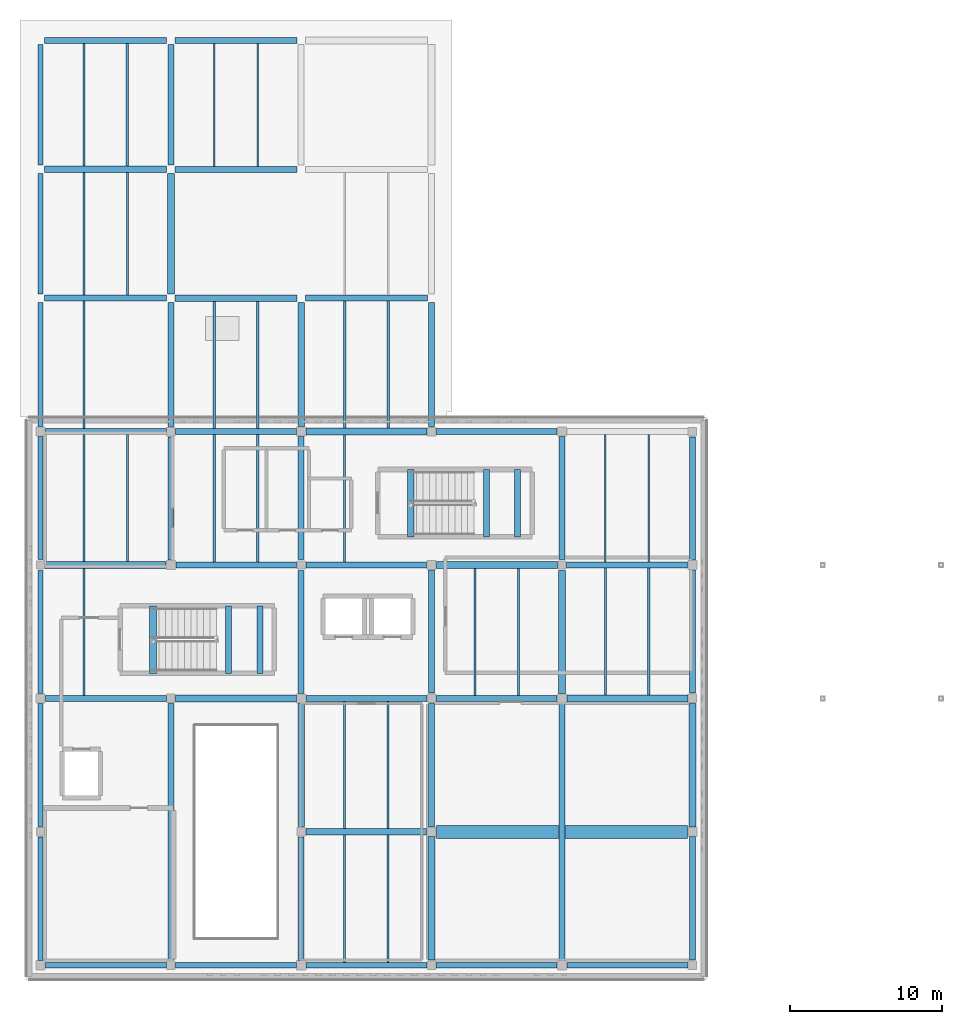
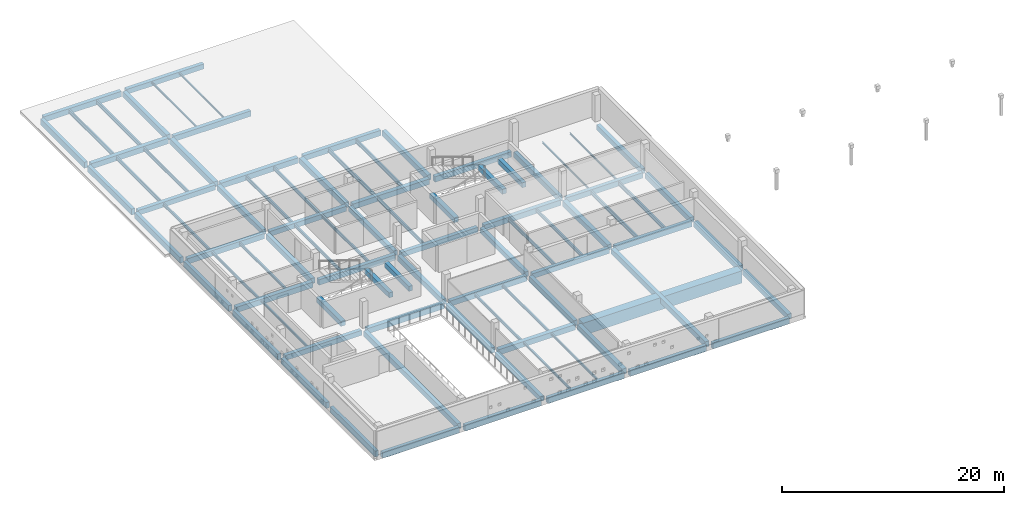
# One storey, part 5 of 17: 89 beams.
"""IFC4 building model written with IfcOpenShell, lengths in metres."""

import ifcopenshell
import ifcopenshell.guid

model = None  # the IFC model being written
_history = None  # IfcOwnerHistory: only IFC2X3 demands one
_inside = {}  # id of a spatial element -> (the spatial element, [elements in it])
_under = {}  # id of a project, library or spatial element -> (it, [spatial elements below it])
_declared = {}  # id of a project -> (the project, [libraries it declares])
_typed = {}  # id of a type object -> (the type object, [elements of that type])
_made_of = {}  # id of a material, layer set ... -> (it, [elements and type objects made of it])


def new_model(schema):
    """Start an empty IFC model of exactly this schema.

    Asked for "IFC4X3", IfcOpenShell would pick the latest addendum, in which some entities
    have other attributes; the version numbers below select the first issue.
    IFC2X3 requires an IfcOwnerHistory on every rooted entity: one is made here for all.
    """
    global model, _history
    if schema == "IFC4X3":
        model = ifcopenshell.file(schema_version=(4, 3, 0, 0))
    else:
        model = ifcopenshell.file(schema=schema)
    _inside.clear()
    _under.clear()
    _declared.clear()
    _typed.clear()
    _made_of.clear()
    _history = None
    if model.schema == "IFC2X3":
        org = make("IfcOrganization", Name="unknown")
        user = make(
            "IfcPersonAndOrganization",
            ThePerson=make("IfcPerson", FamilyName="unknown"),
            TheOrganization=org,
        )
        app = make(
            "IfcApplication",
            ApplicationDeveloper=org,
            Version="unknown",
            ApplicationFullName="unknown",
            ApplicationIdentifier="unknown",
        )
        _history = make(
            "IfcOwnerHistory",
            OwningUser=user,
            OwningApplication=app,
            ChangeAction="ADDED",
            CreationDate=0,
        )
    return model


def make(cls, **values):
    """One entity of the class cls with the attributes given. An attribute that is None is left unset."""
    return model.create_entity(
        cls, **{name: value for name, value in values.items() if value is not None}
    )


def rooted(cls, **values):
    """An entity with a GlobalId (a new one), such as an element, a storey or a relation."""
    return make(cls, GlobalId=ifcopenshell.guid.new(), OwnerHistory=_history, **values)


def si_unit(unit_type, name, prefix=None):
    """IfcSIUnit, for example si_unit("LENGTHUNIT", "METRE", prefix="MILLI")."""
    return make("IfcSIUnit", UnitType=unit_type, Prefix=prefix, Name=name)


def assignment(units):
    """IfcUnitAssignment: the units of a project."""
    return None if units is None else make("IfcUnitAssignment", Units=units)


def point(xyz):
    """IfcCartesianPoint."""
    return None if xyz is None else make("IfcCartesianPoint", Coordinates=xyz)


def direction(xyz):
    """IfcDirection."""
    return None if xyz is None else make("IfcDirection", DirectionRatios=xyz)


def frame(location, z_axis=None, x_axis=None):
    """IfcAxis2Placement3D, a coordinate frame: its origin and axes. An axis left out is left unset."""
    return make(
        "IfcAxis2Placement3D",
        Location=point(location),
        Axis=direction(z_axis),
        RefDirection=direction(x_axis),
    )


def frame_2d(location, x_axis=None):
    """IfcAxis2Placement2D, a coordinate frame in the plane: its origin and x axis."""
    return make(
        "IfcAxis2Placement2D", Location=point(location), RefDirection=direction(x_axis)
    )


def origin():
    """The frame at (0, 0, 0) with its axes left unset."""
    return frame((0.0, 0.0, 0.0))


def origin_2d():
    """The frame at (0, 0) in the plane with its x axis left unset."""
    return frame_2d((0.0, 0.0))


def place(relative_to, where):
    """IfcLocalPlacement: puts the frame where relative to a parent placement (None: the world)."""
    return make(
        "IfcLocalPlacement", PlacementRelTo=relative_to, RelativePlacement=where
    )


def context(
    kind, dimensions, precision=None, world=None, true_north=None, identifier=None
):
    """IfcGeometricRepresentationContext, for example the 3D "Model" context."""
    return make(
        "IfcGeometricRepresentationContext",
        ContextIdentifier=identifier,
        ContextType=kind,
        CoordinateSpaceDimension=dimensions,
        Precision=precision,
        WorldCoordinateSystem=world,
        TrueNorth=true_north,
    )


def subcontext(parent, identifier, kind, view, scale=None):
    """IfcGeometricRepresentationSubContext, for example "Body" below "Model"."""
    return make(
        "IfcGeometricRepresentationSubContext",
        ContextIdentifier=identifier,
        ContextType=kind,
        ParentContext=parent,
        TargetScale=scale,
        TargetView=view,
    )


def project(units=None, contexts=None):
    """IfcProject with its units and contexts."""
    return rooted(
        "IfcProject",
        Name="project",
        RepresentationContexts=contexts,
        UnitsInContext=assignment(units),
    )


def spatial(cls, under=None, at=None, **own):
    """A site, building, storey or space (cls), placed at a placement, below another one or the project."""
    s = rooted(cls, ObjectPlacement=at, **own)
    if under is not None:
        _under.setdefault(under.id(), (under, []))[1].append(s)
    return s


def profile(cls, at=None, kind="AREA", **sizes):
    """A parametric profile (cls). Its sizes go by their IFC names, for example OverallWidth=200.0."""
    return make(cls, ProfileType=kind, Position=at, **sizes)


def rectangle(**sizes):
    """IfcRectangleProfileDef."""
    return profile("IfcRectangleProfileDef", **sizes)


def i_section(**sizes):
    """IfcIShapeProfileDef."""
    return profile("IfcIShapeProfileDef", **sizes)


def extrude(swept, where, along, depth):
    """IfcExtrudedAreaSolid: the profile swept, set in the frame where, extruded along a direction by depth."""
    return make(
        "IfcExtrudedAreaSolid",
        SweptArea=swept,
        Position=where,
        ExtrudedDirection=direction(along),
        Depth=depth,
    )


def shape(context_of_items, identifier, shape_type, items):
    """IfcShapeRepresentation: the items that make up one representation, for example the "Body"."""
    return make(
        "IfcShapeRepresentation",
        ContextOfItems=context_of_items,
        RepresentationIdentifier=identifier,
        RepresentationType=shape_type,
        Items=items,
    )


def material(Name=None, Category=None):
    """IfcMaterial."""
    return make("IfcMaterial", Name=Name, Category=Category)


def material_profile(
    of_material, cross_section, Name=None, Category=None, Priority=None
):
    """IfcMaterialProfile: a cross section and its material."""
    return make(
        "IfcMaterialProfile",
        Name=Name,
        Material=of_material,
        Profile=cross_section,
        Priority=Priority,
        Category=Category,
    )


def profile_set(profiles, Name=None, composite=None):
    """IfcMaterialProfileSet."""
    return make(
        "IfcMaterialProfileSet",
        Name=Name,
        MaterialProfiles=profiles,
        CompositeProfile=composite,
    )


def made_of(thing, what):
    """Note that an element or type object is made of a material, layer set ...; save() writes the relation."""
    if what is not None:
        _made_of.setdefault(what.id(), (what, []))[1].append(thing)
    return thing


def type_object(cls, material=None, **own):
    """A type object (cls), such as IfcWallType, which elements share."""
    return made_of(rooted(cls, **own), material)


def element(
    cls,
    number,
    at=None,
    inside=None,
    cuts=None,
    type_object=None,
    material=None,
    context=None,
    identifier="Body",
    shape_type=None,
    held_by="IfcProductDefinitionShape",
    body=None,
    shapes=None,
    **own,
):
    """One element of the class cls, such as IfcWall. Its Tag is "e" and its number.

    at: its placement. inside: the storey or other place that contains it. cuts: it is an
    opening in that element (IfcRelVoidsElement). A single representation is given by context,
    identifier, shape_type and body (its items); several are given by shapes. held_by: the class
    of the entity that holds the representations. save() writes the other relations.
    """
    e = rooted(cls, Tag="e%d" % number, ObjectPlacement=at, **own)
    if body is not None:
        shapes = [shape(context, identifier, shape_type, body)]
    if shapes is not None:
        e.Representation = make(held_by, Representations=shapes)
    if inside is not None:
        _inside.setdefault(inside.id(), (inside, []))[1].append(e)
    if cuts is not None:
        rooted(
            "IfcRelVoidsElement", RelatingBuildingElement=cuts, RelatedOpeningElement=e
        )
    if type_object is not None:
        _typed.setdefault(type_object.id(), (type_object, []))[1].append(e)
    return made_of(e, material)


def aggregate(whole, parts):
    """IfcRelAggregates: a whole, such as a stair, and the parts it consists of."""
    return rooted("IfcRelAggregates", RelatingObject=whole, RelatedObjects=parts)


def save(model, path):
    """Write the relations noted so far, then the file.

    IfcRelAggregates (storeys below a building ...), IfcRelContainedInSpatialStructure (elements
    in a storey), IfcRelDefinesByType, IfcRelAssociatesMaterial and IfcRelDeclares: one each for
    every whole, place, type object, material and project.
    """
    for whole, parts in _under.values():
        aggregate(whole, parts)
    for where, things in _inside.values():
        rooted(
            "IfcRelContainedInSpatialStructure",
            RelatedElements=things,
            RelatingStructure=where,
        )
    for kind, things in _typed.values():
        rooted("IfcRelDefinesByType", RelatedObjects=things, RelatingType=kind)
    for what, things in _made_of.values():
        rooted("IfcRelAssociatesMaterial", RelatedObjects=things, RelatingMaterial=what)
    for by, libraries in _declared.values():
        rooted("IfcRelDeclares", RelatingContext=by, RelatedDefinitions=libraries)
    model.write(path)


model = new_model("IFC4")

# Units and contexts
model_context = context("Model", 3, precision=1e-05, world=origin(), true_north=direction((0.0, 1.0)))
body_context = subcontext(model_context, "Body", "Model", "MODEL_VIEW")
ifc_project = project(units=[si_unit("LENGTHUNIT", "METRE"), si_unit("AREAUNIT", "SQUARE_METRE"), si_unit("VOLUMEUNIT", "CUBIC_METRE"), si_unit("PLANEANGLEUNIT", "RADIAN"), si_unit("MASSUNIT", "GRAM", prefix="KILO")], contexts=[model_context])

# Site, building, storey
site_placement = place(None, origin())
site = spatial("IfcSite", under=ifc_project, at=site_placement, CompositionType="ELEMENT")
building_placement = place(site_placement, origin())
building = spatial("IfcBuilding", under=site, at=building_placement, Name="Varnakota Cinema and Media Centre", CompositionType="ELEMENT")
storey_placement = place(building_placement, frame((0.0, 0.0, 22.35009765625)))
storey = spatial("IfcBuildingStorey", under=building, at=storey_placement, Name="L06", CompositionType="ELEMENT", Elevation=22.35009765625)

# Beams
ifc_material_1 = material(Name="Concrete M35", Category="concrete")
ifc_material_profile_1 = material_profile(ifc_material_1, rectangle(XDim=0.39990234375, YDim=0.550048828125, at=origin_2d()), Name="RCB 400x550")
ifc_profile_set_1 = profile_set([ifc_material_profile_1], Name="Concrete M35")
beam_type_1 = type_object("IfcBeamType", Name="BM-RC-400x550", PredefinedType="BEAM", material=ifc_profile_set_1)
beam_1_placement = place(storey_placement, frame((0.324951171875, 17.60009765625, -0.51513671875), z_axis=(1.0, 0.0, 0.0), x_axis=(0.0, 1.0, 0.0)))
element("IfcBeam", 1, at=beam_1_placement, inside=storey, type_object=beam_type_1, Name="L06 girder A-B/3", PredefinedType="BEAM", context=body_context, shape_type="SweptSolid", body=[
    extrude(rectangle(XDim=0.39990234375, YDim=0.550048828125, at=origin_2d()), origin(), (0.0, 0.0, 1.0), 7.97509765625),
])
beam_2_placement = place(storey_placement, frame((26.10009765625, 17.60009765625, -0.51513671875), z_axis=(1.0, 0.0, 0.0), x_axis=(0.0, 1.0, 0.0)))
element("IfcBeam", 2, at=beam_2_placement, inside=storey, type_object=beam_type_1, Name="L06 girder D-E/3", PredefinedType="BEAM", context=body_context, shape_type="SweptSolid", body=[
    extrude(rectangle(XDim=0.39990234375, YDim=0.550048828125, at=origin_2d()), origin(), (0.0, 0.0, 1.0), 7.974853515625),
])
for number, where, z_axis, x_axis, name in (
    (3, (17.5, 26.39990234375, -0.51513671875), (1.0, 0.0, 0.0), (0.0, 1.0, 0.0), "L06 girder C-D/4"),
    (4, (8.89990234375, 35.199951171875, -0.51513671875), (1.0, 0.0, 0.0), (0.0, 1.0, 0.0), "L06 girder B-C/5"),
):
    element("IfcBeam", number, at=place(storey_placement, frame(where, z_axis=z_axis, x_axis=x_axis)), inside=storey, type_object=beam_type_1, Name=name, PredefinedType="BEAM", context=body_context, shape_type="SweptSolid", body=[
        extrude(rectangle(XDim=0.39990234375, YDim=0.550048828125, at=origin_2d()), origin(), (0.0, 0.0, 1.0), 7.97509765625),
    ])
for number, where, z_axis, x_axis, name in (
    (5, (0.27490234375, 44.0, -0.51513671875), (1.0, 0.0, 0.0), (0.0, 1.0, 0.0), "L06 girder A-B/6"),
    (6, (8.875, 61.0, -0.51513671875), (1.0, 0.0, 0.0), (0.0, 1.0, 0.0), "L06 girder B-C/8"),
):
    element("IfcBeam", number, at=place(storey_placement, frame(where, z_axis=z_axis, x_axis=x_axis)), inside=storey, type_object=beam_type_1, Name=name, PredefinedType="BEAM", context=body_context, shape_type="SweptSolid", body=[
        extrude(rectangle(XDim=0.39990234375, YDim=0.550048828125, at=origin_2d()), origin(), (0.0, 0.0, 1.0), 8.050048828125),
    ])
beam_3_placement = place(storey_placement, frame((8.60009765625, 35.550048828125, -0.51513671875), z_axis=(0.0, 1.0, 0.0), x_axis=(-1.0, 0.0, 0.0)))
element("IfcBeam", 7, at=beam_3_placement, inside=storey, type_object=beam_type_1, Name="L06 girder B/5-6", PredefinedType="BEAM", context=body_context, shape_type="SweptSolid", body=[
    extrude(rectangle(XDim=0.39990234375, YDim=0.550048828125, at=origin_2d()), origin(), (0.0, 0.0, 1.0), 8.175048828125),
])
for number, where, z_axis, x_axis, name in (
    (8, (17.199951171875, 0.324951171875, -0.51513671875), (0.0, 1.0, 0.0), (-1.0, 0.0, 0.0), "L06 girder C/1-2"),
    (9, (17.199951171875, 26.75, -0.51513671875), (0.0, 1.0, 0.0), (-1.0, 0.0, 0.0), "L06 girder C/4-5"),
    (10, (25.800048828125, 17.949951171875, -0.51513671875), (0.0, 1.0, 0.0), (-1.0, 0.0, 0.0), "L06 girder D/3-4"),
    (11, (43.0, 0.35009765625, -0.51513671875), (0.0, 1.0, 0.0), (-1.0, 0.0, 0.0), "L06 girder F/1-2"),
    (12, (43.0, 26.72509765625, -0.51513671875), (0.0, 1.0, 0.0), (-1.0, 0.0, 0.0), "L06 girder F/4-5"),
):
    element("IfcBeam", number, at=place(storey_placement, frame(where, z_axis=z_axis, x_axis=x_axis)), inside=storey, type_object=beam_type_1, Name=name, PredefinedType="BEAM", context=body_context, shape_type="SweptSolid", body=[
        extrude(rectangle(XDim=0.39990234375, YDim=0.550048828125, at=origin_2d()), origin(), (0.0, 0.0, 1.0), 8.125),
    ])
for number, where, z_axis, x_axis, name in (
    (13, (12.40966796875, 19.25, 1.099853515625), (0.0, 1.0, 0.0), (-1.0, 0.0, 0.0), "L06 ST-01 landing support beam 1"),
    (14, (14.470458984375, 19.25, 1.099853515625), (0.0, 1.0, 0.0), (-1.0, 0.0, 0.0), "L06 ST-01 landing support beam 2"),
    (15, (29.40966796875, 28.25, 1.099853515625), (0.0, 1.0, 0.0), (-1.0, 0.0, 0.0), "L06 ST-02 landing support beam 1"),
    (16, (31.470458984375, 28.25, 1.099853515625), (0.0, 1.0, 0.0), (-1.0, 0.0, 0.0), "L06 ST-02 landing support beam 2"),
):
    element("IfcBeam", number, at=place(storey_placement, frame(where, z_axis=z_axis, x_axis=x_axis)), inside=storey, type_object=beam_type_1, Name=name, PredefinedType="BEAM", context=body_context, shape_type="SweptSolid", body=[
        extrude(rectangle(XDim=0.39990234375, YDim=0.550048828125, at=origin_2d()), origin(), (0.0, 0.0, 1.0), 4.449951171875),
    ])
ifc_material_2 = material(Name="Concrete M35", Category="concrete")
ifc_material_profile_2 = material_profile(ifc_material_2, rectangle(XDim=0.39990234375, YDim=0.60009765625, at=origin_2d()), Name="RCB 400x600")
ifc_profile_set_2 = profile_set([ifc_material_profile_2], Name="Concrete M35")
beam_type_2 = type_object("IfcBeamType", Name="BM-RC-400x600", PredefinedType="BEAM", material=ifc_profile_set_2)
beam_4_placement = place(storey_placement, frame((17.52490234375, 17.60009765625, -0.5400390625), z_axis=(1.0, 0.0, 0.0), x_axis=(0.0, 1.0, 0.0)))
element("IfcBeam", 17, at=beam_4_placement, inside=storey, type_object=beam_type_2, Name="L06 girder C-D/3", PredefinedType="BEAM", context=body_context, shape_type="SweptSolid", body=[
    extrude(rectangle(XDim=0.39990234375, YDim=0.60009765625, at=origin_2d()), origin(), (0.0, 0.0, 1.0), 7.97509765625),
])
beam_5_placement = place(storey_placement, frame((8.925048828125, 26.39990234375, -0.5400390625), z_axis=(1.0, 0.0, 0.0), x_axis=(0.0, 1.0, 0.0)))
element("IfcBeam", 18, at=beam_5_placement, inside=storey, type_object=beam_type_2, Name="L06 girder B-C/4", PredefinedType="BEAM", context=body_context, shape_type="SweptSolid", body=[
    extrude(rectangle(XDim=0.39990234375, YDim=0.60009765625, at=origin_2d()), origin(), (0.0, 0.0, 1.0), 7.974853515625),
])
for number, where, z_axis, x_axis, name in (
    (19, (34.699951171875, 26.39990234375, -0.5400390625), (1.0, 0.0, 0.0), (0.0, 1.0, 0.0), "L06 girder E-F/4"),
    (20, (0.324951171875, 35.199951171875, -0.5400390625), (1.0, 0.0, 0.0), (0.0, 1.0, 0.0), "L06 girder A-B/5"),
):
    element("IfcBeam", number, at=place(storey_placement, frame(where, z_axis=z_axis, x_axis=x_axis)), inside=storey, type_object=beam_type_2, Name=name, PredefinedType="BEAM", context=body_context, shape_type="SweptSolid", body=[
        extrude(rectangle(XDim=0.39990234375, YDim=0.60009765625, at=origin_2d()), origin(), (0.0, 0.0, 1.0), 7.97509765625),
    ])
beam_6_placement = place(storey_placement, frame((26.10009765625, 35.199951171875, -0.5400390625), z_axis=(1.0, 0.0, 0.0), x_axis=(0.0, 1.0, 0.0)))
element("IfcBeam", 21, at=beam_6_placement, inside=storey, type_object=beam_type_2, Name="L06 girder D-E/5", PredefinedType="BEAM", context=body_context, shape_type="SweptSolid", body=[
    extrude(rectangle(XDim=0.39990234375, YDim=0.60009765625, at=origin_2d()), origin(), (0.0, 0.0, 1.0), 7.974853515625),
])
beam_7_placement = place(storey_placement, frame((17.47509765625, 44.0, -0.5400390625), z_axis=(1.0, 0.0, 0.0), x_axis=(0.0, 1.0, 0.0)))
element("IfcBeam", 22, at=beam_7_placement, inside=storey, type_object=beam_type_2, Name="L06 girder C-D/6", PredefinedType="BEAM", context=body_context, shape_type="SweptSolid", body=[
    extrude(rectangle(XDim=0.39990234375, YDim=0.60009765625, at=origin_2d()), origin(), (0.0, 0.0, 1.0), 8.0498046875),
])
for number, where, z_axis, x_axis, name in (
    (23, (8.875, 52.5, -0.5400390625), (1.0, 0.0, 0.0), (0.0, 1.0, 0.0), "L06 girder B-C/7"),
    (24, (0.27490234375, 61.0, -0.5400390625), (1.0, 0.0, 0.0), (0.0, 1.0, 0.0), "L06 girder A-B/8"),
):
    element("IfcBeam", number, at=place(storey_placement, frame(where, z_axis=z_axis, x_axis=x_axis)), inside=storey, type_object=beam_type_2, Name=name, PredefinedType="BEAM", context=body_context, shape_type="SweptSolid", body=[
        extrude(rectangle(XDim=0.39990234375, YDim=0.60009765625, at=origin_2d()), origin(), (0.0, 0.0, 1.0), 8.050048828125),
    ])
beam_8_placement = place(storey_placement, frame((8.60009765625, 0.35009765625, -0.5400390625), z_axis=(0.0, 1.0, 0.0), x_axis=(-1.0, 0.0, 0.0)))
element("IfcBeam", 25, at=beam_8_placement, inside=storey, type_object=beam_type_2, Name="L06 girder B/1-3", PredefinedType="BEAM", context=body_context, shape_type="SweptSolid", body=[
    extrude(rectangle(XDim=0.39990234375, YDim=0.60009765625, at=origin_2d()), origin(), (0.0, 0.0, 1.0), 16.89990234375),
])
beam_9_placement = place(storey_placement, frame((8.60009765625, 26.72509765625, -0.5400390625), z_axis=(0.0, 1.0, 0.0), x_axis=(-1.0, 0.0, 0.0)))
element("IfcBeam", 26, at=beam_9_placement, inside=storey, type_object=beam_type_2, Name="L06 girder B/4-5", PredefinedType="BEAM", context=body_context, shape_type="SweptSolid", body=[
    extrude(rectangle(XDim=0.39990234375, YDim=0.60009765625, at=origin_2d()), origin(), (0.0, 0.0, 1.0), 8.125),
])
beam_10_placement = place(storey_placement, frame((8.60009765625, 52.77490234375, -0.5400390625), z_axis=(0.0, 1.0, 0.0), x_axis=(-1.0, 0.0, 0.0)))
element("IfcBeam", 27, at=beam_10_placement, inside=storey, type_object=beam_type_2, Name="L06 girder B/7-8", PredefinedType="BEAM", context=body_context, shape_type="SweptSolid", body=[
    extrude(rectangle(XDim=0.39990234375, YDim=0.60009765625, at=origin_2d()), origin(), (0.0, 0.0, 1.0), 7.9501953125),
])
for number, where, z_axis, x_axis, name in (
    (28, (17.199951171875, 17.925048828125, -0.5400390625), (0.0, 1.0, 0.0), (-1.0, 0.0, 0.0), "L06 girder C/3-4"),
    (29, (25.800048828125, 9.125, -0.5400390625), (0.0, 1.0, 0.0), (-1.0, 0.0, 0.0), "L06 girder D/2-3"),
):
    element("IfcBeam", number, at=place(storey_placement, frame(where, z_axis=z_axis, x_axis=x_axis)), inside=storey, type_object=beam_type_2, Name=name, PredefinedType="BEAM", context=body_context, shape_type="SweptSolid", body=[
        extrude(rectangle(XDim=0.39990234375, YDim=0.60009765625, at=origin_2d()), origin(), (0.0, 0.0, 1.0), 8.125),
    ])
beam_11_placement = place(storey_placement, frame((25.800048828125, 35.550048828125, -0.5400390625), z_axis=(0.0, 1.0, 0.0), x_axis=(-1.0, 0.0, 0.0)))
element("IfcBeam", 30, at=beam_11_placement, inside=storey, type_object=beam_type_2, Name="L06 girder D/5-6", PredefinedType="BEAM", context=body_context, shape_type="SweptSolid", body=[
    extrude(rectangle(XDim=0.39990234375, YDim=0.60009765625, at=origin_2d()), origin(), (0.0, 0.0, 1.0), 8.175048828125),
])
beam_12_placement = place(storey_placement, frame((34.39990234375, 0.324951171875, -0.5400390625), z_axis=(0.0, 1.0, 0.0), x_axis=(-1.0, 0.0, 0.0)))
element("IfcBeam", 31, at=beam_12_placement, inside=storey, type_object=beam_type_2, Name="L06 girder E/1-3", PredefinedType="BEAM", context=body_context, shape_type="SweptSolid", body=[
    extrude(rectangle(XDim=0.39990234375, YDim=0.60009765625, at=origin_2d()), origin(), (0.0, 0.0, 1.0), 16.949951171875),
])
for number, where, z_axis, x_axis, name in (
    (32, (34.39990234375, 26.75, -0.5400390625), (0.0, 1.0, 0.0), (-1.0, 0.0, 0.0), "L06 girder E/4-5"),
    (33, (43.0, 17.949951171875, -0.5400390625), (0.0, 1.0, 0.0), (-1.0, 0.0, 0.0), "L06 girder F/3-4"),
):
    element("IfcBeam", number, at=place(storey_placement, frame(where, z_axis=z_axis, x_axis=x_axis)), inside=storey, type_object=beam_type_2, Name=name, PredefinedType="BEAM", context=body_context, shape_type="SweptSolid", body=[
        extrude(rectangle(XDim=0.39990234375, YDim=0.60009765625, at=origin_2d()), origin(), (0.0, 0.0, 1.0), 8.125),
    ])
ifc_material_3 = material(Name="Concrete M40", Category="concrete")
ifc_material_profile_3 = material_profile(ifc_material_3, rectangle(XDim=0.449951171875, YDim=0.550048828125, at=origin_2d()), Name="RCB 450x550")
ifc_profile_set_3 = profile_set([ifc_material_profile_3], Name="Concrete M40")
beam_type_3 = type_object("IfcBeamType", Name="BM-RC-450x550", PredefinedType="BEAM", material=ifc_profile_set_3)
for number, where, z_axis, x_axis, name in (
    (34, (7.419921875, 19.25, -0.275146484375), (0.0, 1.0, 0.0), (-1.0, 0.0, 0.0), "L06 ST-01 stair arrival trimmer beam"),
    (35, (24.419921875, 28.25, -0.275146484375), (0.0, 1.0, 0.0), (-1.0, 0.0, 0.0), "L06 ST-02 stair arrival trimmer beam"),
):
    element("IfcBeam", number, at=place(storey_placement, frame(where, z_axis=z_axis, x_axis=x_axis)), inside=storey, type_object=beam_type_3, Name=name, PredefinedType="BEAM", context=body_context, shape_type="SweptSolid", body=[
        extrude(rectangle(XDim=0.449951171875, YDim=0.550048828125, at=origin_2d()), origin(), (0.0, 0.0, 1.0), 4.449951171875),
    ])
ifc_material_4 = material(Name="Concrete M35", Category="concrete")
ifc_material_profile_4 = material_profile(ifc_material_4, rectangle(XDim=0.449951171875, YDim=0.60009765625, at=origin_2d()), Name="RCB 450x600")
ifc_profile_set_4 = profile_set([ifc_material_profile_4], Name="Concrete M35")
beam_type_4 = type_object("IfcBeamType", Name="BM-RC-450x600", PredefinedType="BEAM", material=ifc_profile_set_4)
for number, where, z_axis, x_axis, name in (
    (36, (17.5, 8.800048828125, -0.5400390625), (1.0, 0.0, 0.0), (0.0, 1.0, 0.0), "L06 girder C-D/2"),
    (37, (8.89990234375, 17.60009765625, -0.5400390625), (1.0, 0.0, 0.0), (0.0, 1.0, 0.0), "L06 girder B-C/3"),
):
    element("IfcBeam", number, at=place(storey_placement, frame(where, z_axis=z_axis, x_axis=x_axis)), inside=storey, type_object=beam_type_4, Name=name, PredefinedType="BEAM", context=body_context, shape_type="SweptSolid", body=[
        extrude(rectangle(XDim=0.449951171875, YDim=0.60009765625, at=origin_2d()), origin(), (0.0, 0.0, 1.0), 7.97509765625),
    ])
for number, where, z_axis, x_axis, name in (
    (38, (34.72509765625, 17.60009765625, -0.5400390625), (1.0, 0.0, 0.0), (0.0, 1.0, 0.0), "L06 girder E-F/3"),
    (39, (0.300048828125, 26.39990234375, -0.5400390625), (1.0, 0.0, 0.0), (0.0, 1.0, 0.0), "L06 girder A-B/4"),
):
    element("IfcBeam", number, at=place(storey_placement, frame(where, z_axis=z_axis, x_axis=x_axis)), inside=storey, type_object=beam_type_4, Name=name, PredefinedType="BEAM", context=body_context, shape_type="SweptSolid", body=[
        extrude(rectangle(XDim=0.449951171875, YDim=0.60009765625, at=origin_2d()), origin(), (0.0, 0.0, 1.0), 7.974853515625),
    ])
for number, where, z_axis, x_axis, name in (
    (40, (26.125, 26.39990234375, -0.5400390625), (1.0, 0.0, 0.0), (0.0, 1.0, 0.0), "L06 girder D-E/4"),
    (41, (17.52490234375, 35.199951171875, -0.5400390625), (1.0, 0.0, 0.0), (0.0, 1.0, 0.0), "L06 girder C-D/5"),
):
    element("IfcBeam", number, at=place(storey_placement, frame(where, z_axis=z_axis, x_axis=x_axis)), inside=storey, type_object=beam_type_4, Name=name, PredefinedType="BEAM", context=body_context, shape_type="SweptSolid", body=[
        extrude(rectangle(XDim=0.449951171875, YDim=0.60009765625, at=origin_2d()), origin(), (0.0, 0.0, 1.0), 7.97509765625),
    ])
for number, where, z_axis, x_axis, name in (
    (42, (8.875, 44.0, -0.5400390625), (1.0, 0.0, 0.0), (0.0, 1.0, 0.0), "L06 girder B-C/6"),
    (43, (0.27490234375, 52.5, -0.5400390625), (1.0, 0.0, 0.0), (0.0, 1.0, 0.0), "L06 girder A-B/7"),
):
    element("IfcBeam", number, at=place(storey_placement, frame(where, z_axis=z_axis, x_axis=x_axis)), inside=storey, type_object=beam_type_4, Name=name, PredefinedType="BEAM", context=body_context, shape_type="SweptSolid", body=[
        extrude(rectangle(XDim=0.449951171875, YDim=0.60009765625, at=origin_2d()), origin(), (0.0, 0.0, 1.0), 8.050048828125),
    ])
beam_13_placement = place(storey_placement, frame((8.60009765625, 44.27490234375, -0.5400390625), z_axis=(0.0, 1.0, 0.0), x_axis=(-1.0, 0.0, 0.0)))
element("IfcBeam", 44, at=beam_13_placement, inside=storey, type_object=beam_type_4, Name="L06 girder B/6-7", PredefinedType="BEAM", context=body_context, shape_type="SweptSolid", body=[
    extrude(rectangle(XDim=0.449951171875, YDim=0.60009765625, at=origin_2d()), origin(), (0.0, 0.0, 1.0), 7.9501953125),
])
beam_14_placement = place(storey_placement, frame((17.199951171875, 9.14990234375, -0.5400390625), z_axis=(0.0, 1.0, 0.0), x_axis=(-1.0, 0.0, 0.0)))
element("IfcBeam", 45, at=beam_14_placement, inside=storey, type_object=beam_type_4, Name="L06 girder C/2-3", PredefinedType="BEAM", context=body_context, shape_type="SweptSolid", body=[
    extrude(rectangle(XDim=0.449951171875, YDim=0.60009765625, at=origin_2d()), origin(), (0.0, 0.0, 1.0), 8.125),
])
beam_15_placement = place(storey_placement, frame((17.199951171875, 35.52490234375, -0.5400390625), z_axis=(0.0, 1.0, 0.0), x_axis=(-1.0, 0.0, 0.0)))
element("IfcBeam", 46, at=beam_15_placement, inside=storey, type_object=beam_type_4, Name="L06 girder C/5-6", PredefinedType="BEAM", context=body_context, shape_type="SweptSolid", body=[
    extrude(rectangle(XDim=0.449951171875, YDim=0.60009765625, at=origin_2d()), origin(), (0.0, 0.0, 1.0), 8.2001953125),
])
for number, where, z_axis, x_axis, name in (
    (47, (25.800048828125, 0.35009765625, -0.5400390625), (0.0, 1.0, 0.0), (-1.0, 0.0, 0.0), "L06 girder D/1-2"),
    (48, (34.39990234375, 17.925048828125, -0.5400390625), (0.0, 1.0, 0.0), (-1.0, 0.0, 0.0), "L06 girder E/3-4"),
    (49, (43.0, 9.125, -0.5400390625), (0.0, 1.0, 0.0), (-1.0, 0.0, 0.0), "L06 girder F/2-3"),
):
    element("IfcBeam", number, at=place(storey_placement, frame(where, z_axis=z_axis, x_axis=x_axis)), inside=storey, type_object=beam_type_4, Name=name, PredefinedType="BEAM", context=body_context, shape_type="SweptSolid", body=[
        extrude(rectangle(XDim=0.449951171875, YDim=0.60009765625, at=origin_2d()), origin(), (0.0, 0.0, 1.0), 8.125),
    ])
ifc_material_5 = material(Name="Concrete M40", Category="concrete")
ifc_material_profile_5 = material_profile(ifc_material_5, rectangle(XDim=0.35009765625, YDim=0.64990234375, at=origin_2d()), Name="RCB 350x650")
ifc_profile_set_5 = profile_set([ifc_material_profile_5], Name="Concrete M40")
beam_type_5 = type_object("IfcBeamType", Name="BM-SP-350x650", PredefinedType="SPANDREL", material=ifc_profile_set_5)
for number, where, z_axis, x_axis, name in (
    (50, (0.324951171875, 0.0, -0.565185546875), (1.0, 0.0, 0.0), (0.0, 1.0, 0.0), "L06 girder A-B/1"),
    (51, (8.89990234375, 0.0, -0.565185546875), (1.0, 0.0, 0.0), (0.0, 1.0, 0.0), "L06 girder B-C/1"),
    (52, (17.52490234375, 0.0, -0.565185546875), (1.0, 0.0, 0.0), (0.0, 1.0, 0.0), "L06 girder C-D/1"),
):
    element("IfcBeam", number, at=place(storey_placement, frame(where, z_axis=z_axis, x_axis=x_axis)), inside=storey, type_object=beam_type_5, Name=name, PredefinedType="SPANDREL", context=body_context, shape_type="SweptSolid", body=[
        extrude(rectangle(XDim=0.35009765625, YDim=0.64990234375, at=origin_2d()), origin(), (0.0, 0.0, 1.0), 7.97509765625),
    ])
for number, where, z_axis, x_axis, name in (
    (53, (26.10009765625, 0.0, -0.565185546875), (1.0, 0.0, 0.0), (0.0, 1.0, 0.0), "L06 girder D-E/1"),
    (54, (34.72509765625, 0.0, -0.565185546875), (1.0, 0.0, 0.0), (0.0, 1.0, 0.0), "L06 girder E-F/1"),
):
    element("IfcBeam", number, at=place(storey_placement, frame(where, z_axis=z_axis, x_axis=x_axis)), inside=storey, type_object=beam_type_5, Name=name, PredefinedType="SPANDREL", context=body_context, shape_type="SweptSolid", body=[
        extrude(rectangle(XDim=0.35009765625, YDim=0.64990234375, at=origin_2d()), origin(), (0.0, 0.0, 1.0), 7.974853515625),
    ])
for number, where, z_axis, x_axis, name in (
    (55, (0.0, 0.324951171875, -0.565185546875), (0.0, 1.0, 0.0), (-1.0, 0.0, 0.0), "L06 girder A/1-2"),
    (56, (0.0, 9.14990234375, -0.565185546875), (0.0, 1.0, 0.0), (-1.0, 0.0, 0.0), "L06 girder A/2-3"),
    (57, (0.0, 17.925048828125, -0.565185546875), (0.0, 1.0, 0.0), (-1.0, 0.0, 0.0), "L06 girder A/3-4"),
    (58, (0.0, 26.75, -0.565185546875), (0.0, 1.0, 0.0), (-1.0, 0.0, 0.0), "L06 girder A/4-5"),
):
    element("IfcBeam", number, at=place(storey_placement, frame(where, z_axis=z_axis, x_axis=x_axis)), inside=storey, type_object=beam_type_5, Name=name, PredefinedType="SPANDREL", context=body_context, shape_type="SweptSolid", body=[
        extrude(rectangle(XDim=0.35009765625, YDim=0.64990234375, at=origin_2d()), origin(), (0.0, 0.0, 1.0), 8.125),
    ])
beam_16_placement = place(storey_placement, frame((0.0, 35.52490234375, -0.565185546875), z_axis=(0.0, 1.0, 0.0), x_axis=(-1.0, 0.0, 0.0)))
element("IfcBeam", 59, at=beam_16_placement, inside=storey, type_object=beam_type_5, Name="L06 girder A/5-6", PredefinedType="SPANDREL", context=body_context, shape_type="SweptSolid", body=[
    extrude(rectangle(XDim=0.35009765625, YDim=0.64990234375, at=origin_2d()), origin(), (0.0, 0.0, 1.0), 8.2001953125),
])
for number, where, z_axis, x_axis, name in (
    (60, (0.0, 44.27490234375, -0.565185546875), (0.0, 1.0, 0.0), (-1.0, 0.0, 0.0), "L06 girder A/6-7"),
    (61, (0.0, 52.77490234375, -0.565185546875), (0.0, 1.0, 0.0), (-1.0, 0.0, 0.0), "L06 girder A/7-8"),
):
    element("IfcBeam", number, at=place(storey_placement, frame(where, z_axis=z_axis, x_axis=x_axis)), inside=storey, type_object=beam_type_5, Name=name, PredefinedType="SPANDREL", context=body_context, shape_type="SweptSolid", body=[
        extrude(rectangle(XDim=0.35009765625, YDim=0.64990234375, at=origin_2d()), origin(), (0.0, 0.0, 1.0), 7.9501953125),
    ])
ifc_material_6 = material(Name="Structural steel Grade 350 (E350)", Category="steel")
ifc_material_profile_6 = material_profile(ifc_material_6, i_section(OverallWidth=0.10009765625, OverallDepth=0.199951171875, WebThickness=0.005615234375, FlangeThickness=0.0107421875, FilletRadius=0.010986328125, at=origin_2d()), Name="ISMB 200")
ifc_profile_set_6 = profile_set([ifc_material_profile_6], Name="Structural steel Grade 350 (E350)")
beam_type_6 = type_object("IfcBeamType", Name="BM-ST-ISMB200", PredefinedType="JOIST", material=ifc_profile_set_6)
for number, where, z_axis, x_axis, name in (
    (62, (11.466796875, 52.699951171875, -0.340087890625), (0.0, 1.0, 0.0), (-1.0, 0.0, 0.0), "L06 steel joist B-C/7-8 #1"),
    (63, (14.333251953125, 52.699951171875, -0.340087890625), (0.0, 1.0, 0.0), (-1.0, 0.0, 0.0), "L06 steel joist B-C/7-8 #2"),
):
    element("IfcBeam", number, at=place(storey_placement, frame(where, z_axis=z_axis, x_axis=x_axis)), inside=storey, type_object=beam_type_6, Name=name, PredefinedType="JOIST", context=body_context, shape_type="SweptSolid", body=[
        extrude(i_section(OverallWidth=0.10009765625, OverallDepth=0.199951171875, WebThickness=0.005615234375, FlangeThickness=0.0107421875, FilletRadius=0.010986328125, at=origin_2d()), origin(), (0.0, 0.0, 1.0), 8.10009765625),
    ])
for number, where, z_axis, x_axis, name in (
    (64, (37.2666015625, 26.60009765625, -0.340087890625), (0.0, 1.0, 0.0), (-1.0, 0.0, 0.0), "L06 steel joist E-F/4-5 #1"),
    (65, (40.13330078125, 26.60009765625, -0.340087890625), (0.0, 1.0, 0.0), (-1.0, 0.0, 0.0), "L06 steel joist E-F/4-5 #2"),
):
    element("IfcBeam", number, at=place(storey_placement, frame(where, z_axis=z_axis, x_axis=x_axis)), inside=storey, type_object=beam_type_6, Name=name, PredefinedType="JOIST", context=body_context, shape_type="SweptSolid", body=[
        extrude(i_section(OverallWidth=0.10009765625, OverallDepth=0.199951171875, WebThickness=0.005615234375, FlangeThickness=0.0107421875, FilletRadius=0.010986328125, at=origin_2d()), origin(), (0.0, 0.0, 1.0), 8.39990234375),
    ])
ifc_material_7 = material(Name="Structural steel Grade 350 (E350)", Category="steel")
ifc_material_profile_7 = material_profile(ifc_material_7, i_section(OverallWidth=0.125, OverallDepth=0.25, WebThickness=0.0068359375, FlangeThickness=0.012451171875, FilletRadius=0.012939453125, at=origin_2d()), Name="ISMB 250")
ifc_profile_set_7 = profile_set([ifc_material_profile_7], Name="Structural steel Grade 350 (E350)")
beam_type_7 = type_object("IfcBeamType", Name="BM-ST-ISMB250", PredefinedType="JOIST", material=ifc_profile_set_7)
beam_17_placement = place(storey_placement, frame((2.86669921875, 17.800048828125, -0.364990234375), z_axis=(0.0, 1.0, 0.0), x_axis=(-1.0, 0.0, 0.0)))
element("IfcBeam", 66, at=beam_17_placement, inside=storey, type_object=beam_type_7, Name="L06 steel joist A-B/3-4 #1", PredefinedType="JOIST", context=body_context, shape_type="SweptSolid", body=[
    extrude(i_section(OverallWidth=0.125, OverallDepth=0.25, WebThickness=0.0068359375, FlangeThickness=0.012451171875, FilletRadius=0.012939453125, at=origin_2d()), origin(), (0.0, 0.0, 1.0), 8.375),
])
for number, where, z_axis, x_axis, name in (
    (67, (20.066650390625, 0.175048828125, -0.364990234375), (0.0, 1.0, 0.0), (-1.0, 0.0, 0.0), "L06 steel joist C-D/1-2 #1"),
    (68, (22.933349609375, 0.175048828125, -0.364990234375), (0.0, 1.0, 0.0), (-1.0, 0.0, 0.0), "L06 steel joist C-D/1-2 #2"),
):
    element("IfcBeam", number, at=place(storey_placement, frame(where, z_axis=z_axis, x_axis=x_axis)), inside=storey, type_object=beam_type_7, Name=name, PredefinedType="JOIST", context=body_context, shape_type="SweptSolid", body=[
        extrude(i_section(OverallWidth=0.125, OverallDepth=0.25, WebThickness=0.0068359375, FlangeThickness=0.012451171875, FilletRadius=0.012939453125, at=origin_2d()), origin(), (0.0, 0.0, 1.0), 8.39990234375),
    ])
ifc_material_8 = material(Name="Structural steel Grade 350 (E350)", Category="steel")
ifc_material_profile_8 = material_profile(ifc_material_8, i_section(OverallWidth=0.139892578125, OverallDepth=0.300048828125, WebThickness=0.0078125, FlangeThickness=0.01318359375, FilletRadius=0.013916015625, at=origin_2d()), Name="ISMB 300")
ifc_profile_set_8 = profile_set([ifc_material_profile_8], Name="Structural steel Grade 350 (E350)")
beam_type_8 = type_object("IfcBeamType", Name="BM-ST-ISMB300", PredefinedType="JOIST", material=ifc_profile_set_8)
for number, where, z_axis, x_axis, name in (
    (69, (2.86669921875, 26.625, -0.39013671875), (0.0, 1.0, 0.0), (-1.0, 0.0, 0.0), "L06 steel joist A-B/4-5 #1"),
    (70, (5.7333984375, 26.625, -0.39013671875), (0.0, 1.0, 0.0), (-1.0, 0.0, 0.0), "L06 steel joist A-B/4-5 #2"),
    (71, (20.066650390625, 9.02490234375, -0.39013671875), (0.0, 1.0, 0.0), (-1.0, 0.0, 0.0), "L06 steel joist C-D/2-3 #1"),
    (72, (22.933349609375, 9.02490234375, -0.39013671875), (0.0, 1.0, 0.0), (-1.0, 0.0, 0.0), "L06 steel joist C-D/2-3 #2"),
):
    element("IfcBeam", number, at=place(storey_placement, frame(where, z_axis=z_axis, x_axis=x_axis)), inside=storey, type_object=beam_type_8, Name=name, PredefinedType="JOIST", context=body_context, shape_type="SweptSolid", body=[
        extrude(i_section(OverallWidth=0.139892578125, OverallDepth=0.300048828125, WebThickness=0.0078125, FlangeThickness=0.01318359375, FilletRadius=0.013916015625, at=origin_2d()), origin(), (0.0, 0.0, 1.0), 8.375),
    ])
ifc_material_9 = material(Name="Structural steel Grade 350 (E350)", Category="steel")
ifc_material_profile_9 = material_profile(ifc_material_9, i_section(OverallWidth=0.139892578125, OverallDepth=0.35009765625, WebThickness=0.008056640625, FlangeThickness=0.01416015625, FilletRadius=0.013916015625, at=origin_2d()), Name="ISMB 350")
ifc_profile_set_9 = profile_set([ifc_material_profile_9], Name="Structural steel Grade 350 (E350)")
beam_type_9 = type_object("IfcBeamType", Name="BM-ST-ISMB350", PredefinedType="JOIST", material=ifc_profile_set_9)
beam_18_placement = place(storey_placement, frame((2.86669921875, 35.39990234375, -0.4150390625), z_axis=(0.0, 1.0, 0.0), x_axis=(-1.0, 0.0, 0.0)))
element("IfcBeam", 73, at=beam_18_placement, inside=storey, type_object=beam_type_9, Name="L06 steel joist A-B/5-6 #1", PredefinedType="JOIST", context=body_context, shape_type="SweptSolid", body=[
    extrude(i_section(OverallWidth=0.139892578125, OverallDepth=0.35009765625, WebThickness=0.008056640625, FlangeThickness=0.01416015625, FilletRadius=0.013916015625, at=origin_2d()), origin(), (0.0, 0.0, 1.0), 8.400146484375),
])
for number, where, z_axis, x_axis, name in (
    (74, (11.466796875, 26.60009765625, -0.4150390625), (0.0, 1.0, 0.0), (-1.0, 0.0, 0.0), "L06 steel joist B-C/4-5 #1"),
    (75, (14.333251953125, 26.60009765625, -0.4150390625), (0.0, 1.0, 0.0), (-1.0, 0.0, 0.0), "L06 steel joist B-C/4-5 #2"),
):
    element("IfcBeam", number, at=place(storey_placement, frame(where, z_axis=z_axis, x_axis=x_axis)), inside=storey, type_object=beam_type_9, Name=name, PredefinedType="JOIST", context=body_context, shape_type="SweptSolid", body=[
        extrude(i_section(OverallWidth=0.139892578125, OverallDepth=0.35009765625, WebThickness=0.008056640625, FlangeThickness=0.01416015625, FilletRadius=0.013916015625, at=origin_2d()), origin(), (0.0, 0.0, 1.0), 8.39990234375),
    ])
ifc_material_10 = material(Name="Structural steel Grade 350 (E350)", Category="steel")
ifc_material_profile_10 = material_profile(ifc_material_10, i_section(OverallWidth=0.139892578125, OverallDepth=0.39990234375, WebThickness=0.0087890625, FlangeThickness=0.01611328125, FilletRadius=0.013916015625, at=origin_2d()), Name="ISMB 400")
ifc_profile_set_10 = profile_set([ifc_material_profile_10], Name="Structural steel Grade 350 (E350)")
beam_type_10 = type_object("IfcBeamType", Name="BM-ST-ISMB400", PredefinedType="JOIST", material=ifc_profile_set_10)
for number, where, z_axis, x_axis, name in (
    (76, (2.86669921875, 44.199951171875, -0.440185546875), (0.0, 1.0, 0.0), (-1.0, 0.0, 0.0), "L06 steel joist A-B/6-7 #1"),
    (77, (5.7333984375, 44.199951171875, -0.440185546875), (0.0, 1.0, 0.0), (-1.0, 0.0, 0.0), "L06 steel joist A-B/6-7 #2"),
):
    element("IfcBeam", number, at=place(storey_placement, frame(where, z_axis=z_axis, x_axis=x_axis)), inside=storey, type_object=beam_type_10, Name=name, PredefinedType="JOIST", context=body_context, shape_type="SweptSolid", body=[
        extrude(i_section(OverallWidth=0.139892578125, OverallDepth=0.39990234375, WebThickness=0.0087890625, FlangeThickness=0.01611328125, FilletRadius=0.013916015625, at=origin_2d()), origin(), (0.0, 0.0, 1.0), 8.074951171875),
    ])
for number, where, z_axis, x_axis, name in (
    (78, (11.466796875, 35.39990234375, -0.440185546875), (0.0, 1.0, 0.0), (-1.0, 0.0, 0.0), "L06 steel joist B-C/5-6 #1"),
    (79, (14.333251953125, 35.39990234375, -0.440185546875), (0.0, 1.0, 0.0), (-1.0, 0.0, 0.0), "L06 steel joist B-C/5-6 #2"),
    (80, (20.066650390625, 26.60009765625, -0.440185546875), (0.0, 1.0, 0.0), (-1.0, 0.0, 0.0), "L06 steel joist C-D/4-5 #1"),
    (81, (28.666748046875, 17.800048828125, -0.440185546875), (0.0, 1.0, 0.0), (-1.0, 0.0, 0.0), "L06 steel joist D-E/3-4 #1"),
    (82, (31.533203125, 17.800048828125, -0.440185546875), (0.0, 1.0, 0.0), (-1.0, 0.0, 0.0), "L06 steel joist D-E/3-4 #2"),
):
    element("IfcBeam", number, at=place(storey_placement, frame(where, z_axis=z_axis, x_axis=x_axis)), inside=storey, type_object=beam_type_10, Name=name, PredefinedType="JOIST", context=body_context, shape_type="SweptSolid", body=[
        extrude(i_section(OverallWidth=0.139892578125, OverallDepth=0.39990234375, WebThickness=0.0087890625, FlangeThickness=0.01611328125, FilletRadius=0.013916015625, at=origin_2d()), origin(), (0.0, 0.0, 1.0), 8.375),
    ])
ifc_material_11 = material(Name="Structural steel Grade 350 (E350)", Category="steel")
ifc_material_profile_11 = material_profile(ifc_material_11, i_section(OverallWidth=0.14990234375, OverallDepth=0.449951171875, WebThickness=0.009521484375, FlangeThickness=0.017333984375, FilletRadius=0.014892578125, at=origin_2d()), Name="ISMB 450")
ifc_profile_set_11 = profile_set([ifc_material_profile_11], Name="Structural steel Grade 350 (E350)")
beam_type_11 = type_object("IfcBeamType", Name="BM-ST-ISMB450", PredefinedType="BEAM", material=ifc_profile_set_11)
for number, where, z_axis, x_axis, name in (
    (83, (2.86669921875, 52.72509765625, -0.465087890625), (0.0, 1.0, 0.0), (-1.0, 0.0, 0.0), "L06 steel joist A-B/7-8 #1"),
    (84, (5.7333984375, 52.72509765625, -0.465087890625), (0.0, 1.0, 0.0), (-1.0, 0.0, 0.0), "L06 steel joist A-B/7-8 #2"),
):
    element("IfcBeam", number, at=place(storey_placement, frame(where, z_axis=z_axis, x_axis=x_axis)), inside=storey, type_object=beam_type_11, Name=name, PredefinedType="BEAM", context=body_context, shape_type="SweptSolid", body=[
        extrude(i_section(OverallWidth=0.14990234375, OverallDepth=0.449951171875, WebThickness=0.009521484375, FlangeThickness=0.017333984375, FilletRadius=0.014892578125, at=origin_2d()), origin(), (0.0, 0.0, 1.0), 8.074951171875),
    ])
for number, where, z_axis, x_axis, name in (
    (85, (20.066650390625, 35.425048828125, -0.465087890625), (0.0, 1.0, 0.0), (-1.0, 0.0, 0.0), "L06 steel joist C-D/5-6 #1"),
    (86, (22.933349609375, 35.425048828125, -0.465087890625), (0.0, 1.0, 0.0), (-1.0, 0.0, 0.0), "L06 steel joist C-D/5-6 #2"),
    (87, (37.2666015625, 17.824951171875, -0.465087890625), (0.0, 1.0, 0.0), (-1.0, 0.0, 0.0), "L06 steel joist E-F/3-4 #1"),
    (88, (40.13330078125, 17.824951171875, -0.465087890625), (0.0, 1.0, 0.0), (-1.0, 0.0, 0.0), "L06 steel joist E-F/3-4 #2"),
):
    element("IfcBeam", number, at=place(storey_placement, frame(where, z_axis=z_axis, x_axis=x_axis)), inside=storey, type_object=beam_type_11, Name=name, PredefinedType="BEAM", context=body_context, shape_type="SweptSolid", body=[
        extrude(i_section(OverallWidth=0.14990234375, OverallDepth=0.449951171875, WebThickness=0.009521484375, FlangeThickness=0.017333984375, FilletRadius=0.014892578125, at=origin_2d()), origin(), (0.0, 0.0, 1.0), 8.375),
    ])
ifc_material_12 = material(Name="Concrete M50", Category="concrete")
ifc_material_profile_12 = material_profile(ifc_material_12, rectangle(XDim=0.85009765625, YDim=1.35009765625, at=origin_2d()), Name="RCB 850x1350")
ifc_profile_set_12 = profile_set([ifc_material_profile_12], Name="Concrete M50")
beam_type_12 = type_object("IfcBeamType", Name="BM-TG-850x1350", PredefinedType="BEAM", material=ifc_profile_set_12)
beam_19_placement = place(storey_placement, frame((26.125, 8.800048828125, -0.9150390625), z_axis=(1.0, 0.0, 0.0), x_axis=(0.0, 1.0, 0.0)))
element("IfcBeam", 89, at=beam_19_placement, inside=storey, type_object=beam_type_12, Name="L06 girder D-F/2", PredefinedType="BEAM", context=body_context, shape_type="SweptSolid", body=[
    extrude(rectangle(XDim=0.85009765625, YDim=1.35009765625, at=origin_2d()), origin(), (0.0, 0.0, 1.0), 16.550048828125),
])

save(model, "model.ifc")
